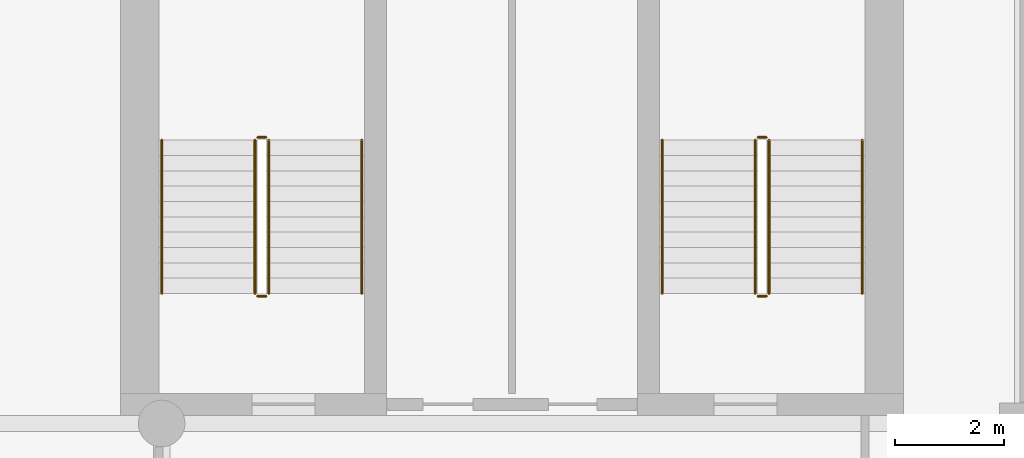
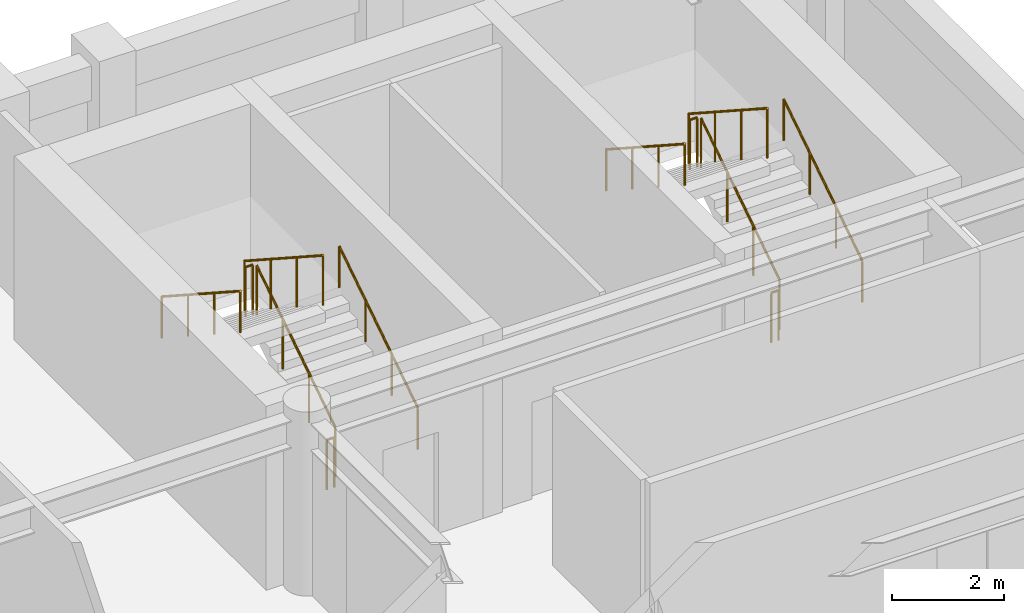
# One storey, part 8 of 8: 12 railings.
"""IFC4 building model written with IfcOpenShell, lengths in metres."""

import ifcopenshell
import ifcopenshell.guid

model = None  # the IFC model being written
_history = None  # IfcOwnerHistory: only IFC2X3 demands one
_inside = {}  # id of a spatial element -> (the spatial element, [elements in it])
_under = {}  # id of a project, library or spatial element -> (it, [spatial elements below it])
_declared = {}  # id of a project -> (the project, [libraries it declares])
_typed = {}  # id of a type object -> (the type object, [elements of that type])
_made_of = {}  # id of a material, layer set ... -> (it, [elements and type objects made of it])


def new_model(schema):
    """Start an empty IFC model of exactly this schema.

    Asked for "IFC4X3", IfcOpenShell would pick the latest addendum, in which some entities
    have other attributes; the version numbers below select the first issue.
    IFC2X3 requires an IfcOwnerHistory on every rooted entity: one is made here for all.
    """
    global model, _history
    if schema == "IFC4X3":
        model = ifcopenshell.file(schema_version=(4, 3, 0, 0))
    else:
        model = ifcopenshell.file(schema=schema)
    _inside.clear()
    _under.clear()
    _declared.clear()
    _typed.clear()
    _made_of.clear()
    _history = None
    if model.schema == "IFC2X3":
        org = make("IfcOrganization", Name="unknown")
        user = make(
            "IfcPersonAndOrganization",
            ThePerson=make("IfcPerson", FamilyName="unknown"),
            TheOrganization=org,
        )
        app = make(
            "IfcApplication",
            ApplicationDeveloper=org,
            Version="unknown",
            ApplicationFullName="unknown",
            ApplicationIdentifier="unknown",
        )
        _history = make(
            "IfcOwnerHistory",
            OwningUser=user,
            OwningApplication=app,
            ChangeAction="ADDED",
            CreationDate=0,
        )
    return model


def make(cls, **values):
    """One entity of the class cls with the attributes given. An attribute that is None is left unset."""
    return model.create_entity(
        cls, **{name: value for name, value in values.items() if value is not None}
    )


def rooted(cls, **values):
    """An entity with a GlobalId (a new one), such as an element, a storey or a relation."""
    return make(cls, GlobalId=ifcopenshell.guid.new(), OwnerHistory=_history, **values)


def si_unit(unit_type, name, prefix=None):
    """IfcSIUnit, for example si_unit("LENGTHUNIT", "METRE", prefix="MILLI")."""
    return make("IfcSIUnit", UnitType=unit_type, Prefix=prefix, Name=name)


def assignment(units):
    """IfcUnitAssignment: the units of a project."""
    return None if units is None else make("IfcUnitAssignment", Units=units)


def point(xyz):
    """IfcCartesianPoint."""
    return None if xyz is None else make("IfcCartesianPoint", Coordinates=xyz)


def direction(xyz):
    """IfcDirection."""
    return None if xyz is None else make("IfcDirection", DirectionRatios=xyz)


def frame(location, z_axis=None, x_axis=None):
    """IfcAxis2Placement3D, a coordinate frame: its origin and axes. An axis left out is left unset."""
    return make(
        "IfcAxis2Placement3D",
        Location=point(location),
        Axis=direction(z_axis),
        RefDirection=direction(x_axis),
    )


def frame_2d(location, x_axis=None):
    """IfcAxis2Placement2D, a coordinate frame in the plane: its origin and x axis."""
    return make(
        "IfcAxis2Placement2D", Location=point(location), RefDirection=direction(x_axis)
    )


def origin():
    """The frame at (0, 0, 0) with its axes left unset."""
    return frame((0.0, 0.0, 0.0))


def origin_2d():
    """The frame at (0, 0) in the plane with its x axis left unset."""
    return frame_2d((0.0, 0.0))


def place(relative_to, where):
    """IfcLocalPlacement: puts the frame where relative to a parent placement (None: the world)."""
    return make(
        "IfcLocalPlacement", PlacementRelTo=relative_to, RelativePlacement=where
    )


def context(
    kind, dimensions, precision=None, world=None, true_north=None, identifier=None
):
    """IfcGeometricRepresentationContext, for example the 3D "Model" context."""
    return make(
        "IfcGeometricRepresentationContext",
        ContextIdentifier=identifier,
        ContextType=kind,
        CoordinateSpaceDimension=dimensions,
        Precision=precision,
        WorldCoordinateSystem=world,
        TrueNorth=true_north,
    )


def subcontext(parent, identifier, kind, view, scale=None):
    """IfcGeometricRepresentationSubContext, for example "Body" below "Model"."""
    return make(
        "IfcGeometricRepresentationSubContext",
        ContextIdentifier=identifier,
        ContextType=kind,
        ParentContext=parent,
        TargetScale=scale,
        TargetView=view,
    )


def project(units=None, contexts=None):
    """IfcProject with its units and contexts."""
    return rooted(
        "IfcProject",
        Name="project",
        RepresentationContexts=contexts,
        UnitsInContext=assignment(units),
    )


def spatial(cls, under=None, at=None, **own):
    """A site, building, storey or space (cls), placed at a placement, below another one or the project."""
    s = rooted(cls, ObjectPlacement=at, **own)
    if under is not None:
        _under.setdefault(under.id(), (under, []))[1].append(s)
    return s


def profile(cls, at=None, kind="AREA", **sizes):
    """A parametric profile (cls). Its sizes go by their IFC names, for example OverallWidth=200.0."""
    return make(cls, ProfileType=kind, Position=at, **sizes)


def circle(**sizes):
    """IfcCircleProfileDef."""
    return profile("IfcCircleProfileDef", **sizes)


def extrude(swept, where, along, depth):
    """IfcExtrudedAreaSolid: the profile swept, set in the frame where, extruded along a direction by depth."""
    return make(
        "IfcExtrudedAreaSolid",
        SweptArea=swept,
        Position=where,
        ExtrudedDirection=direction(along),
        Depth=depth,
    )


def shape(context_of_items, identifier, shape_type, items):
    """IfcShapeRepresentation: the items that make up one representation, for example the "Body"."""
    return make(
        "IfcShapeRepresentation",
        ContextOfItems=context_of_items,
        RepresentationIdentifier=identifier,
        RepresentationType=shape_type,
        Items=items,
    )


def material(Name=None, Category=None):
    """IfcMaterial."""
    return make("IfcMaterial", Name=Name, Category=Category)


def made_of(thing, what):
    """Note that an element or type object is made of a material, layer set ...; save() writes the relation."""
    if what is not None:
        _made_of.setdefault(what.id(), (what, []))[1].append(thing)
    return thing


def type_object(cls, material=None, **own):
    """A type object (cls), such as IfcWallType, which elements share."""
    return made_of(rooted(cls, **own), material)


def element(
    cls,
    number,
    at=None,
    inside=None,
    cuts=None,
    type_object=None,
    material=None,
    context=None,
    identifier="Body",
    shape_type=None,
    held_by="IfcProductDefinitionShape",
    body=None,
    shapes=None,
    **own,
):
    """One element of the class cls, such as IfcWall. Its Tag is "e" and its number.

    at: its placement. inside: the storey or other place that contains it. cuts: it is an
    opening in that element (IfcRelVoidsElement). A single representation is given by context,
    identifier, shape_type and body (its items); several are given by shapes. held_by: the class
    of the entity that holds the representations. save() writes the other relations.
    """
    e = rooted(cls, Tag="e%d" % number, ObjectPlacement=at, **own)
    if body is not None:
        shapes = [shape(context, identifier, shape_type, body)]
    if shapes is not None:
        e.Representation = make(held_by, Representations=shapes)
    if inside is not None:
        _inside.setdefault(inside.id(), (inside, []))[1].append(e)
    if cuts is not None:
        rooted(
            "IfcRelVoidsElement", RelatingBuildingElement=cuts, RelatedOpeningElement=e
        )
    if type_object is not None:
        _typed.setdefault(type_object.id(), (type_object, []))[1].append(e)
    return made_of(e, material)


def aggregate(whole, parts):
    """IfcRelAggregates: a whole, such as a stair, and the parts it consists of."""
    return rooted("IfcRelAggregates", RelatingObject=whole, RelatedObjects=parts)


def save(model, path):
    """Write the relations noted so far, then the file.

    IfcRelAggregates (storeys below a building ...), IfcRelContainedInSpatialStructure (elements
    in a storey), IfcRelDefinesByType, IfcRelAssociatesMaterial and IfcRelDeclares: one each for
    every whole, place, type object, material and project.
    """
    for whole, parts in _under.values():
        aggregate(whole, parts)
    for where, things in _inside.values():
        rooted(
            "IfcRelContainedInSpatialStructure",
            RelatedElements=things,
            RelatingStructure=where,
        )
    for kind, things in _typed.values():
        rooted("IfcRelDefinesByType", RelatedObjects=things, RelatingType=kind)
    for what, things in _made_of.values():
        rooted("IfcRelAssociatesMaterial", RelatedObjects=things, RelatingMaterial=what)
    for by, libraries in _declared.values():
        rooted("IfcRelDeclares", RelatingContext=by, RelatedDefinitions=libraries)
    model.write(path)


model = new_model("IFC4")

# Units and contexts
model_context = context("Model", 3, precision=1e-05, world=origin(), true_north=direction((0.0, 1.0)))
body_context = subcontext(model_context, "Body", "Model", "MODEL_VIEW")
ifc_project = project(units=[si_unit("LENGTHUNIT", "METRE"), si_unit("AREAUNIT", "SQUARE_METRE"), si_unit("VOLUMEUNIT", "CUBIC_METRE"), si_unit("PLANEANGLEUNIT", "RADIAN"), si_unit("MASSUNIT", "GRAM", prefix="KILO")], contexts=[model_context])

# Site, building, storey
site_placement = place(None, origin())
site = spatial("IfcSite", under=ifc_project, at=site_placement, CompositionType="ELEMENT")
building_placement = place(site_placement, origin())
building = spatial("IfcBuilding", under=site, at=building_placement, Name="Sulina Concourse Tower", CompositionType="ELEMENT")
storey_placement = place(building_placement, frame((0.0, 0.0, 230.60009765625)))
storey = spatial("IfcBuildingStorey", under=building, at=storey_placement, Name="L56", CompositionType="ELEMENT", Elevation=230.60009765625)

# Railings
ifc_material_1 = material(Name="Galvanised steel railing", Category="steel")
railing_type_1 = type_object("IfcRailingType", Name="Core Stair Steel Guardrail 1150mm", PredefinedType="GUARDRAIL", material=ifc_material_1)
railing_1_placement = place(storey_placement, frame((43.554931640625, 36.375, 0.181640625)))
element("IfcRailing", 1, at=railing_1_placement, inside=storey, type_object=railing_type_1, Name="L56 ST-3 stair guard 1", PredefinedType="GUARDRAIL", context=body_context, shape_type="SweptSolid", body=[
    extrude(circle(Radius=0.02392578125, at=origin_2d()), frame((0.0, 0.0, 1.076171875), z_axis=(0.0, 0.838672427954, 0.544636170843), x_axis=(-1.0, 0.0, 0.0)), (0.0, 0.0, 1.0), 3.338623046875),
    extrude(circle(Radius=0.02099609375, at=origin_2d()), origin(), (0.0, 0.0, 1.0), 1.052001953125),
    extrude(circle(Radius=0.02099609375, at=origin_2d()), frame((0.0, 0.933349609375, 0.606201171875)), (0.0, 0.0, 1.0), 1.052001953125),
    extrude(circle(Radius=0.02099609375, at=origin_2d()), frame((0.0, 1.86669921875, 1.212158203125)), (0.0, 0.0, 1.0), 1.052001953125),
    extrude(circle(Radius=0.02099609375, at=origin_2d()), frame((0.0, 2.800048828125, 1.818359375)), (0.0, 0.0, 1.0), 1.052001953125),
])
railing_2_placement = place(storey_placement, frame((43.5048828125, 39.22509765625, 2.0)))
element("IfcRailing", 2, at=railing_2_placement, inside=storey, type_object=railing_type_1, Name="L56 ST-3 stair guard 2", PredefinedType="GUARDRAIL", context=body_context, shape_type="SweptSolid", body=[
    extrude(circle(Radius=0.02392578125, at=origin_2d()), frame((0.0, 0.0, 1.076171875), z_axis=(-1.0, 0.0, 0.0), x_axis=(0.0, -1.0, 0.0)), (0.0, 0.0, 1.0), 0.14990234375),
    extrude(circle(Radius=0.02099609375, at=origin_2d()), origin(), (0.0, 0.0, 1.0), 1.052001953125),
    extrude(circle(Radius=0.02099609375, at=origin_2d()), frame((-0.14990234375, 0.0, 0.0)), (0.0, 0.0, 1.0), 1.052001953125),
])
railing_3_placement = place(storey_placement, frame((43.304931640625, 39.175048828125, 2.181640625)))
element("IfcRailing", 3, at=railing_3_placement, inside=storey, type_object=railing_type_1, Name="L56 ST-3 stair guard 3", PredefinedType="GUARDRAIL", context=body_context, shape_type="SweptSolid", body=[
    extrude(circle(Radius=0.02392578125, at=origin_2d()), frame((0.0, 0.0, 1.076171875), z_axis=(0.0, -0.838672427954, 0.544636170843), x_axis=(1.0, 0.0, 0.0)), (0.0, 0.0, 1.0), 3.338623046875),
    extrude(circle(Radius=0.02099609375, at=origin_2d()), origin(), (0.0, 0.0, 1.0), 1.052001953125),
    extrude(circle(Radius=0.02099609375, at=origin_2d()), frame((0.0, -0.933349609375, 0.606201171875)), (0.0, 0.0, 1.0), 1.052001953125),
    extrude(circle(Radius=0.02099609375, at=origin_2d()), frame((0.0, -1.86669921875, 1.212158203125)), (0.0, 0.0, 1.0), 1.052001953125),
    extrude(circle(Radius=0.02099609375, at=origin_2d()), frame((0.0, -2.800048828125, 1.818359375)), (0.0, 0.0, 1.0), 1.052001953125),
])
railing_4_placement = place(storey_placement, frame((43.5048828125, 36.324951171875, 0.0)))
element("IfcRailing", 4, at=railing_4_placement, inside=storey, type_object=railing_type_1, Name="L56 ST-3 stair guard 4", PredefinedType="GUARDRAIL", context=body_context, shape_type="SweptSolid", body=[
    extrude(circle(Radius=0.02392578125, at=origin_2d()), frame((0.0, 0.0, 1.076171875), z_axis=(-1.0, 0.0, 0.0), x_axis=(0.0, -1.0, 0.0)), (0.0, 0.0, 1.0), 0.14990234375),
    extrude(circle(Radius=0.02099609375, at=origin_2d()), origin(), (0.0, 0.0, 1.0), 1.052001953125),
    extrude(circle(Radius=0.02099609375, at=origin_2d()), frame((-0.14990234375, 0.0, 0.0)), (0.0, 0.0, 1.0), 1.052001953125),
])
railing_5_placement = place(storey_placement, frame((52.695068359375, 36.375, 0.181640625)))
element("IfcRailing", 5, at=railing_5_placement, inside=storey, type_object=railing_type_1, Name="L56 ST-4 stair guard 1", PredefinedType="GUARDRAIL", context=body_context, shape_type="SweptSolid", body=[
    extrude(circle(Radius=0.02392578125, at=origin_2d()), frame((0.0, 0.0, 1.076171875), z_axis=(0.0, 0.838672427954, 0.544636170843), x_axis=(-1.0, 0.0, 0.0)), (0.0, 0.0, 1.0), 3.338623046875),
    extrude(circle(Radius=0.02099609375, at=origin_2d()), origin(), (0.0, 0.0, 1.0), 1.052001953125),
    extrude(circle(Radius=0.02099609375, at=origin_2d()), frame((0.0, 0.933349609375, 0.606201171875)), (0.0, 0.0, 1.0), 1.052001953125),
    extrude(circle(Radius=0.02099609375, at=origin_2d()), frame((0.0, 1.86669921875, 1.212158203125)), (0.0, 0.0, 1.0), 1.052001953125),
    extrude(circle(Radius=0.02099609375, at=origin_2d()), frame((0.0, 2.800048828125, 1.818359375)), (0.0, 0.0, 1.0), 1.052001953125),
])
railing_6_placement = place(storey_placement, frame((52.64501953125, 39.22509765625, 2.0)))
element("IfcRailing", 6, at=railing_6_placement, inside=storey, type_object=railing_type_1, Name="L56 ST-4 stair guard 2", PredefinedType="GUARDRAIL", context=body_context, shape_type="SweptSolid", body=[
    extrude(circle(Radius=0.02392578125, at=origin_2d()), frame((0.0, 0.0, 1.076171875), z_axis=(-1.0, 0.0, 0.0), x_axis=(0.0, -1.0, 0.0)), (0.0, 0.0, 1.0), 0.14990234375),
    extrude(circle(Radius=0.02099609375, at=origin_2d()), origin(), (0.0, 0.0, 1.0), 1.052001953125),
    extrude(circle(Radius=0.02099609375, at=origin_2d()), frame((-0.14990234375, 0.0, 0.0)), (0.0, 0.0, 1.0), 1.052001953125),
])
railing_7_placement = place(storey_placement, frame((52.445068359375, 39.175048828125, 2.181640625)))
element("IfcRailing", 7, at=railing_7_placement, inside=storey, type_object=railing_type_1, Name="L56 ST-4 stair guard 3", PredefinedType="GUARDRAIL", context=body_context, shape_type="SweptSolid", body=[
    extrude(circle(Radius=0.02392578125, at=origin_2d()), frame((0.0, 0.0, 1.076171875), z_axis=(0.0, -0.838672427954, 0.544636170843), x_axis=(1.0, 0.0, 0.0)), (0.0, 0.0, 1.0), 3.338623046875),
    extrude(circle(Radius=0.02099609375, at=origin_2d()), origin(), (0.0, 0.0, 1.0), 1.052001953125),
    extrude(circle(Radius=0.02099609375, at=origin_2d()), frame((0.0, -0.933349609375, 0.606201171875)), (0.0, 0.0, 1.0), 1.052001953125),
    extrude(circle(Radius=0.02099609375, at=origin_2d()), frame((0.0, -1.86669921875, 1.212158203125)), (0.0, 0.0, 1.0), 1.052001953125),
    extrude(circle(Radius=0.02099609375, at=origin_2d()), frame((0.0, -2.800048828125, 1.818359375)), (0.0, 0.0, 1.0), 1.052001953125),
])
railing_8_placement = place(storey_placement, frame((52.64501953125, 36.324951171875, 0.0)))
element("IfcRailing", 8, at=railing_8_placement, inside=storey, type_object=railing_type_1, Name="L56 ST-4 stair guard 4", PredefinedType="GUARDRAIL", context=body_context, shape_type="SweptSolid", body=[
    extrude(circle(Radius=0.02392578125, at=origin_2d()), frame((0.0, 0.0, 1.076171875), z_axis=(-1.0, 0.0, 0.0), x_axis=(0.0, -1.0, 0.0)), (0.0, 0.0, 1.0), 0.14990234375),
    extrude(circle(Radius=0.02099609375, at=origin_2d()), origin(), (0.0, 0.0, 1.0), 1.052001953125),
    extrude(circle(Radius=0.02099609375, at=origin_2d()), frame((-0.14990234375, 0.0, 0.0)), (0.0, 0.0, 1.0), 1.052001953125),
])
ifc_material_2 = material(Name="Galvanised steel railing", Category="steel")
railing_type_2 = type_object("IfcRailingType", Name="Stair Wall Steel Handrail 920mm", PredefinedType="HANDRAIL", material=ifc_material_2)
railing_9_placement = place(storey_placement, frame((45.2548828125, 36.375, 0.181640625)))
element("IfcRailing", 9, at=railing_9_placement, inside=storey, type_object=railing_type_2, Name="L56 ST-3 stair handrail 1", PredefinedType="HANDRAIL", context=body_context, shape_type="SweptSolid", body=[
    extrude(circle(Radius=0.02392578125, at=origin_2d()), frame((0.0, 0.0, 0.89599609375), z_axis=(0.0, 0.838672427954, 0.544636170843), x_axis=(-1.0, 0.0, 0.0)), (0.0, 0.0, 1.0), 3.338623046875),
    extrude(circle(Radius=0.02099609375, at=origin_2d()), origin(), (0.0, 0.0, 1.0), 0.871826171875),
    extrude(circle(Radius=0.02099609375, at=origin_2d()), frame((0.0, 0.933349609375, 0.606201171875)), (0.0, 0.0, 1.0), 0.871826171875),
    extrude(circle(Radius=0.02099609375, at=origin_2d()), frame((0.0, 1.86669921875, 1.212158203125)), (0.0, 0.0, 1.0), 0.871826171875),
    extrude(circle(Radius=0.02099609375, at=origin_2d()), frame((0.0, 2.800048828125, 1.818359375)), (0.0, 0.0, 1.0), 0.871826171875),
])
railing_10_placement = place(storey_placement, frame((41.60498046875, 39.175048828125, 2.181640625)))
element("IfcRailing", 10, at=railing_10_placement, inside=storey, type_object=railing_type_2, Name="L56 ST-3 stair handrail 2", PredefinedType="HANDRAIL", context=body_context, shape_type="SweptSolid", body=[
    extrude(circle(Radius=0.02392578125, at=origin_2d()), frame((0.0, 0.0, 0.89599609375), z_axis=(0.0, -0.838672427954, 0.544636170843), x_axis=(1.0, 0.0, 0.0)), (0.0, 0.0, 1.0), 3.338623046875),
    extrude(circle(Radius=0.02099609375, at=origin_2d()), origin(), (0.0, 0.0, 1.0), 0.871826171875),
    extrude(circle(Radius=0.02099609375, at=origin_2d()), frame((0.0, -0.933349609375, 0.606201171875)), (0.0, 0.0, 1.0), 0.871826171875),
    extrude(circle(Radius=0.02099609375, at=origin_2d()), frame((0.0, -1.86669921875, 1.212158203125)), (0.0, 0.0, 1.0), 0.871826171875),
    extrude(circle(Radius=0.02099609375, at=origin_2d()), frame((0.0, -2.800048828125, 1.818359375)), (0.0, 0.0, 1.0), 0.871826171875),
])
railing_11_placement = place(storey_placement, frame((54.39501953125, 36.375, 0.181640625)))
element("IfcRailing", 11, at=railing_11_placement, inside=storey, type_object=railing_type_2, Name="L56 ST-4 stair handrail 1", PredefinedType="HANDRAIL", context=body_context, shape_type="SweptSolid", body=[
    extrude(circle(Radius=0.02392578125, at=origin_2d()), frame((0.0, 0.0, 0.89599609375), z_axis=(0.0, 0.838672427954, 0.544636170843), x_axis=(-1.0, 0.0, 0.0)), (0.0, 0.0, 1.0), 3.338623046875),
    extrude(circle(Radius=0.02099609375, at=origin_2d()), origin(), (0.0, 0.0, 1.0), 0.871826171875),
    extrude(circle(Radius=0.02099609375, at=origin_2d()), frame((0.0, 0.933349609375, 0.606201171875)), (0.0, 0.0, 1.0), 0.871826171875),
    extrude(circle(Radius=0.02099609375, at=origin_2d()), frame((0.0, 1.86669921875, 1.212158203125)), (0.0, 0.0, 1.0), 0.871826171875),
    extrude(circle(Radius=0.02099609375, at=origin_2d()), frame((0.0, 2.800048828125, 1.818359375)), (0.0, 0.0, 1.0), 0.871826171875),
])
railing_12_placement = place(storey_placement, frame((50.7451171875, 39.175048828125, 2.181640625)))
element("IfcRailing", 12, at=railing_12_placement, inside=storey, type_object=railing_type_2, Name="L56 ST-4 stair handrail 2", PredefinedType="HANDRAIL", context=body_context, shape_type="SweptSolid", body=[
    extrude(circle(Radius=0.02392578125, at=origin_2d()), frame((0.0, 0.0, 0.89599609375), z_axis=(0.0, -0.838672427954, 0.544636170843), x_axis=(1.0, 0.0, 0.0)), (0.0, 0.0, 1.0), 3.338623046875),
    extrude(circle(Radius=0.02099609375, at=origin_2d()), origin(), (0.0, 0.0, 1.0), 0.871826171875),
    extrude(circle(Radius=0.02099609375, at=origin_2d()), frame((0.0, -0.933349609375, 0.606201171875)), (0.0, 0.0, 1.0), 0.871826171875),
    extrude(circle(Radius=0.02099609375, at=origin_2d()), frame((0.0, -1.86669921875, 1.212158203125)), (0.0, 0.0, 1.0), 0.871826171875),
    extrude(circle(Radius=0.02099609375, at=origin_2d()), frame((0.0, -2.800048828125, 1.818359375)), (0.0, 0.0, 1.0), 0.871826171875),
])

save(model, "model.ifc")
